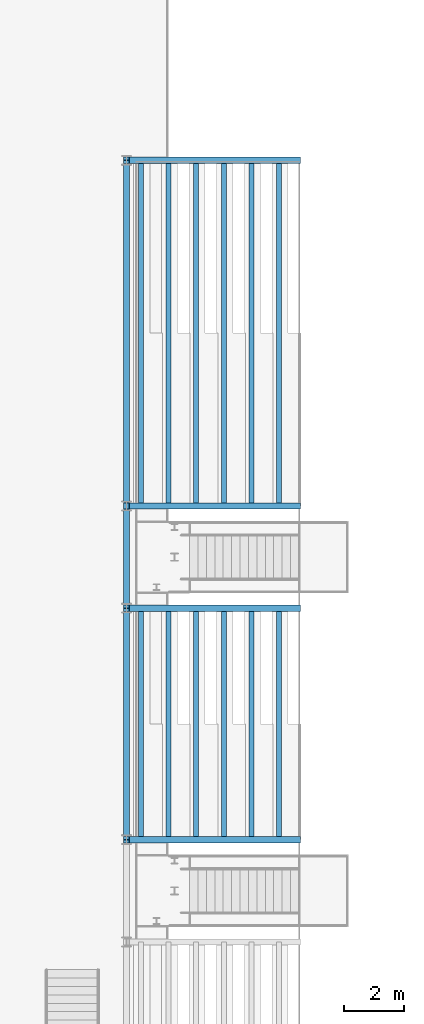
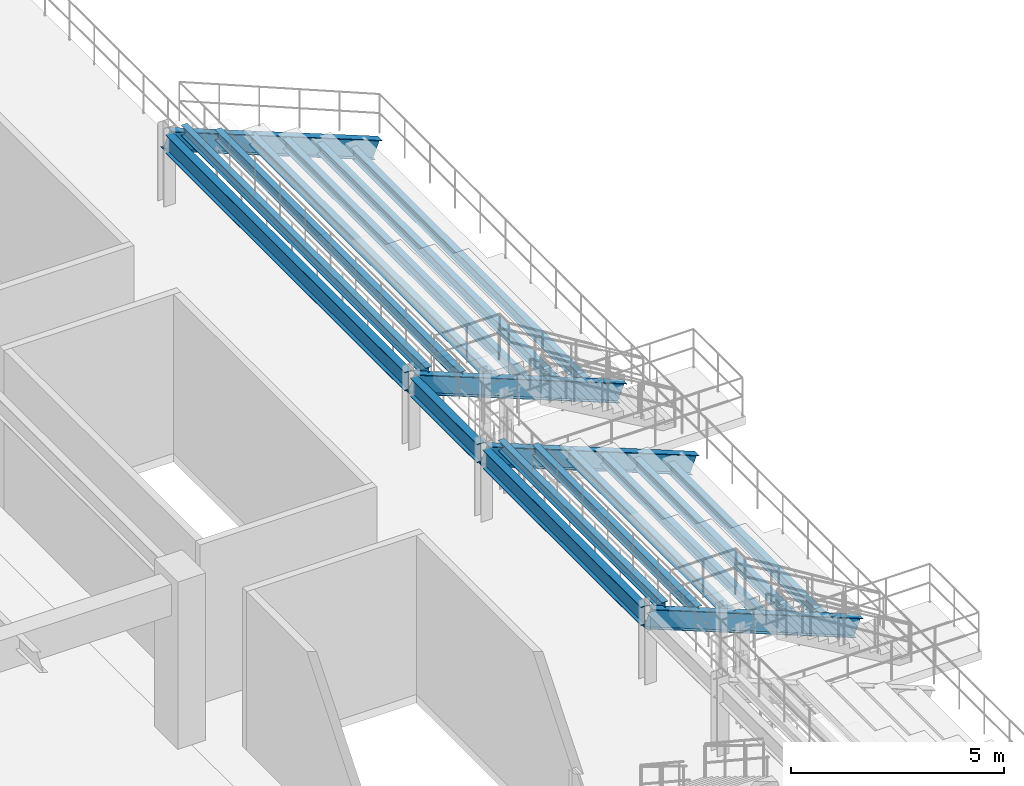
# One storey, part 59 of 106: 12 members, 7 beams.
"""IFC4 building model written with IfcOpenShell, lengths in metres."""

from ifc_helpers import new_model, si_unit, direction, frame, origin, origin_2d, place, context, subcontext, project, spatial, i_section, extrude, material, material_profile, profile_set, type_object, element, save


model = new_model("IFC4")

# Units and contexts
model_context = context("Model", 3, precision=1e-05, world=origin(), true_north=direction((0.0, 1.0)))
body_context = subcontext(model_context, "Body", "Model", "MODEL_VIEW")
ifc_project = project(units=[si_unit("LENGTHUNIT", "METRE"), si_unit("AREAUNIT", "SQUARE_METRE"), si_unit("VOLUMEUNIT", "CUBIC_METRE"), si_unit("PLANEANGLEUNIT", "RADIAN"), si_unit("MASSUNIT", "GRAM", prefix="KILO"), si_unit("POWERUNIT", "WATT"), si_unit("THERMODYNAMICTEMPERATUREUNIT", "KELVIN")], contexts=[model_context])

# Site, building, storey
site_placement = place(None, origin())
site = spatial("IfcSite", under=ifc_project, at=site_placement, CompositionType="ELEMENT")
building_placement = place(site_placement, origin())
building = spatial("IfcBuilding", under=site, at=building_placement, Name="Kelmbourne Parkland Aquatics Centre", CompositionType="ELEMENT")
storey_placement = place(building_placement, frame((0.0, 0.0, 5.39990234375)))
storey = spatial("IfcBuildingStorey", under=building, at=storey_placement, Name="L01", CompositionType="ELEMENT", Elevation=5.39990234375)

# Beams
ifc_material = material(Name="Structural steel AS/NZS 3679.1 Grade 300", Category="steel")
ifc_material_profile_1 = material_profile(ifc_material, i_section(OverallWidth=0.208984375, OverallDepth=0.532958984375, WebThickness=0.01025390625, FlangeThickness=0.015625, at=origin_2d()), Name="530UB92.4")
ifc_profile_set_1 = profile_set([ifc_material_profile_1], Name="Structural steel AS/NZS 3679.1 Grade 300")
beam_type = type_object("IfcBeamType", Name="BM-RAKER", PredefinedType="USERDEFINED", material=ifc_profile_set_1)
beam_1_placement = place(storey_placement, frame((144.300048828125, 65.60009765625, -0.449951171875), z_axis=(-0.93015414714, 0.0, 0.367169256009), x_axis=(0.0, -1.0, 0.0)))
element("IfcBeam", 1, at=beam_1_placement, inside=storey, type_object=beam_type, Name="Spectator stand raker beam RKR-07", ObjectType="RAKER", PredefinedType="USERDEFINED", context=body_context, shape_type="SweptSolid", body=[
    extrude(i_section(OverallWidth=0.208984375, OverallDepth=0.532958984375, WebThickness=0.01025390625, FlangeThickness=0.015625, at=origin_2d()), origin(), (0.0, 0.0, 1.0), 6.1279296875),
])
beam_2_placement = place(storey_placement, frame((138.60009765625, 65.719970703125, 1.780029296875), z_axis=(0.0, 1.0, 0.0), x_axis=(-1.0, 0.0, 0.0)))
element("IfcBeam", 2, at=beam_2_placement, inside=storey, type_object=beam_type, Name="Bowl upper tie beam 08", PredefinedType="BEAM", context=body_context, shape_type="SweptSolid", body=[
    extrude(i_section(OverallWidth=0.208984375, OverallDepth=0.532958984375, WebThickness=0.01025390625, FlangeThickness=0.015625, at=origin_2d()), origin(), (0.0, 0.0, 1.0), 7.4599609375),
])
beam_3_placement = place(storey_placement, frame((144.300048828125, 73.300048828125, -0.449951171875), z_axis=(-0.93015414714, 0.0, 0.367169256009), x_axis=(0.0, -1.0, 0.0)))
element("IfcBeam", 3, at=beam_3_placement, inside=storey, type_object=beam_type, Name="Spectator stand raker beam RKR-08", ObjectType="RAKER", PredefinedType="USERDEFINED", context=body_context, shape_type="SweptSolid", body=[
    extrude(i_section(OverallWidth=0.208984375, OverallDepth=0.532958984375, WebThickness=0.01025390625, FlangeThickness=0.015625, at=origin_2d()), origin(), (0.0, 0.0, 1.0), 6.1279296875),
])
beam_4_placement = place(storey_placement, frame((138.60009765625, 73.419921875, 1.780029296875), z_axis=(0.0, 1.0, 0.0), x_axis=(-1.0, 0.0, 0.0)))
element("IfcBeam", 4, at=beam_4_placement, inside=storey, type_object=beam_type, Name="Bowl upper tie beam 09", PredefinedType="BEAM", context=body_context, shape_type="SweptSolid", body=[
    extrude(i_section(OverallWidth=0.208984375, OverallDepth=0.532958984375, WebThickness=0.01025390625, FlangeThickness=0.015625, at=origin_2d()), origin(), (0.0, 0.0, 1.0), 3.16015625),
])
beam_5_placement = place(storey_placement, frame((144.300048828125, 76.699951171875, -0.449951171875), z_axis=(-0.93015414714, 0.0, 0.367169256009), x_axis=(0.0, -1.0, 0.0)))
element("IfcBeam", 5, at=beam_5_placement, inside=storey, type_object=beam_type, Name="Spectator stand raker beam RKR-09", ObjectType="RAKER", PredefinedType="USERDEFINED", context=body_context, shape_type="SweptSolid", body=[
    extrude(i_section(OverallWidth=0.208984375, OverallDepth=0.532958984375, WebThickness=0.01025390625, FlangeThickness=0.015625, at=origin_2d()), origin(), (0.0, 0.0, 1.0), 6.1279296875),
])
beam_6_placement = place(storey_placement, frame((138.60009765625, 76.820068359375, 1.780029296875), z_axis=(0.0, 1.0, 0.0), x_axis=(-1.0, 0.0, 0.0)))
element("IfcBeam", 6, at=beam_6_placement, inside=storey, type_object=beam_type, Name="Bowl upper tie beam 10", PredefinedType="BEAM", context=body_context, shape_type="SweptSolid", body=[
    extrude(i_section(OverallWidth=0.208984375, OverallDepth=0.532958984375, WebThickness=0.01025390625, FlangeThickness=0.015625, at=origin_2d()), origin(), (0.0, 0.0, 1.0), 11.260009765625),
])
beam_7_placement = place(storey_placement, frame((144.300048828125, 88.199951171875, -0.449951171875), z_axis=(-0.93015414714, 0.0, 0.367169256009), x_axis=(0.0, -1.0, 0.0)))
element("IfcBeam", 7, at=beam_7_placement, inside=storey, type_object=beam_type, Name="Spectator stand raker beam RKR-10", ObjectType="RAKER", PredefinedType="USERDEFINED", context=body_context, shape_type="SweptSolid", body=[
    extrude(i_section(OverallWidth=0.208984375, OverallDepth=0.532958984375, WebThickness=0.01025390625, FlangeThickness=0.015625, at=origin_2d()), origin(), (0.0, 0.0, 1.0), 6.1279296875),
])

# Members
ifc_material_profile_2 = material_profile(ifc_material, i_section(OverallWidth=0.166015625, OverallDepth=0.306884765625, WebThickness=0.006591796875, FlangeThickness=0.01171875, at=origin_2d()), Name="310UB46.2")
ifc_profile_set_2 = profile_set([ifc_material_profile_2], Name="Structural steel AS/NZS 3679.1 Grade 300")
member_type = type_object("IfcMemberType", Name="BM-TIER-S", PredefinedType="PURLIN", material=ifc_profile_set_2)
for number, where, z_axis, x_axis, name in (
    (8, (143.679931640625, 65.60009765625, -0.333984375), (0.0, 1.0, 0.0), (-1.0, 0.0, 0.0), "Seating tier stringer B4-R1"),
    (9, (142.760009765625, 65.60009765625, 0.1162109375), (0.0, 1.0, 0.0), (-1.0, 0.0, 0.0), "Seating tier stringer B4-R2"),
    (10, (141.840087890625, 65.60009765625, 0.566162109375), (0.0, 1.0, 0.0), (-1.0, 0.0, 0.0), "Seating tier stringer B4-R3"),
    (11, (140.919921875, 65.60009765625, 1.01611328125), (0.0, 1.0, 0.0), (-1.0, 0.0, 0.0), "Seating tier stringer B4-R4"),
    (12, (140.0, 65.60009765625, 1.466064453125), (0.0, 1.0, 0.0), (-1.0, 0.0, 0.0), "Seating tier stringer B4-R5"),
    (13, (139.080078125, 65.60009765625, 1.916015625), (0.0, 1.0, 0.0), (-1.0, 0.0, 0.0), "Seating tier stringer B4-R6"),
):
    element("IfcMember", number, at=place(storey_placement, frame(where, z_axis=z_axis, x_axis=x_axis)), inside=storey, type_object=member_type, Name=name, PredefinedType="PURLIN", context=body_context, shape_type="SweptSolid", body=[
        extrude(i_section(OverallWidth=0.166015625, OverallDepth=0.306884765625, WebThickness=0.006591796875, FlangeThickness=0.01171875, at=origin_2d()), origin(), (0.0, 0.0, 1.0), 7.699951171875),
    ])
for number, where, z_axis, x_axis, name in (
    (14, (143.679931640625, 76.699951171875, -0.333984375), (0.0, 1.0, 0.0), (-1.0, 0.0, 0.0), "Seating tier stringer B5-R1"),
    (15, (142.760009765625, 76.699951171875, 0.1162109375), (0.0, 1.0, 0.0), (-1.0, 0.0, 0.0), "Seating tier stringer B5-R2"),
    (16, (141.840087890625, 76.699951171875, 0.566162109375), (0.0, 1.0, 0.0), (-1.0, 0.0, 0.0), "Seating tier stringer B5-R3"),
    (17, (140.919921875, 76.699951171875, 1.01611328125), (0.0, 1.0, 0.0), (-1.0, 0.0, 0.0), "Seating tier stringer B5-R4"),
    (18, (140.0, 76.699951171875, 1.466064453125), (0.0, 1.0, 0.0), (-1.0, 0.0, 0.0), "Seating tier stringer B5-R5"),
    (19, (139.080078125, 76.699951171875, 1.916015625), (0.0, 1.0, 0.0), (-1.0, 0.0, 0.0), "Seating tier stringer B5-R6"),
):
    element("IfcMember", number, at=place(storey_placement, frame(where, z_axis=z_axis, x_axis=x_axis)), inside=storey, type_object=member_type, Name=name, PredefinedType="PURLIN", context=body_context, shape_type="SweptSolid", body=[
        extrude(i_section(OverallWidth=0.166015625, OverallDepth=0.306884765625, WebThickness=0.006591796875, FlangeThickness=0.01171875, at=origin_2d()), origin(), (0.0, 0.0, 1.0), 11.5),
    ])

save(model, "model.ifc")
